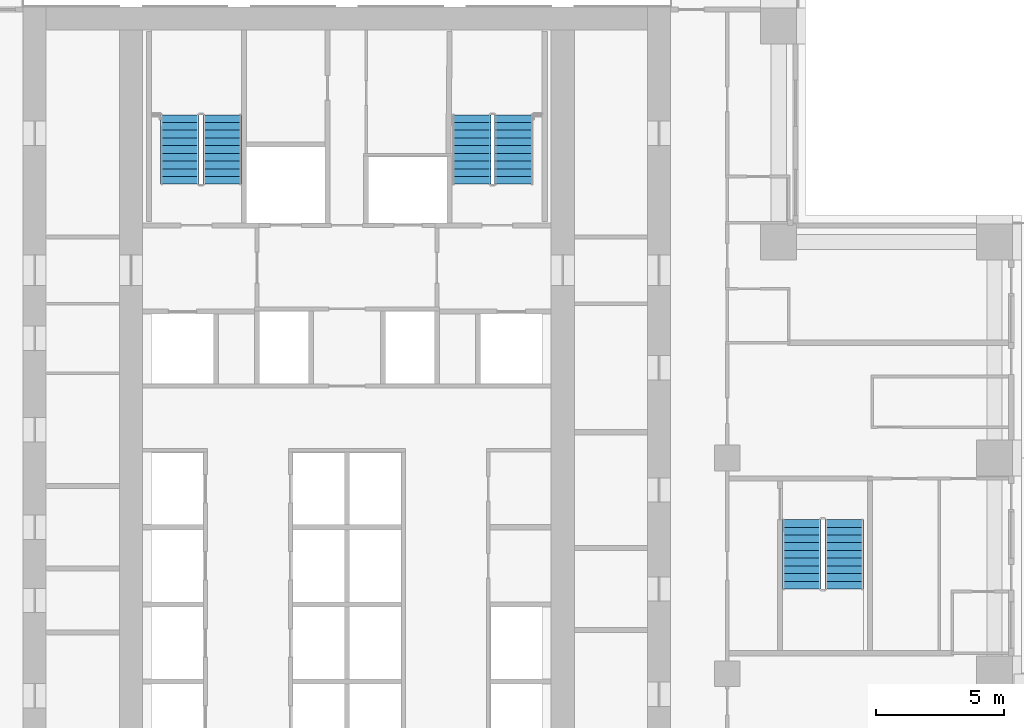
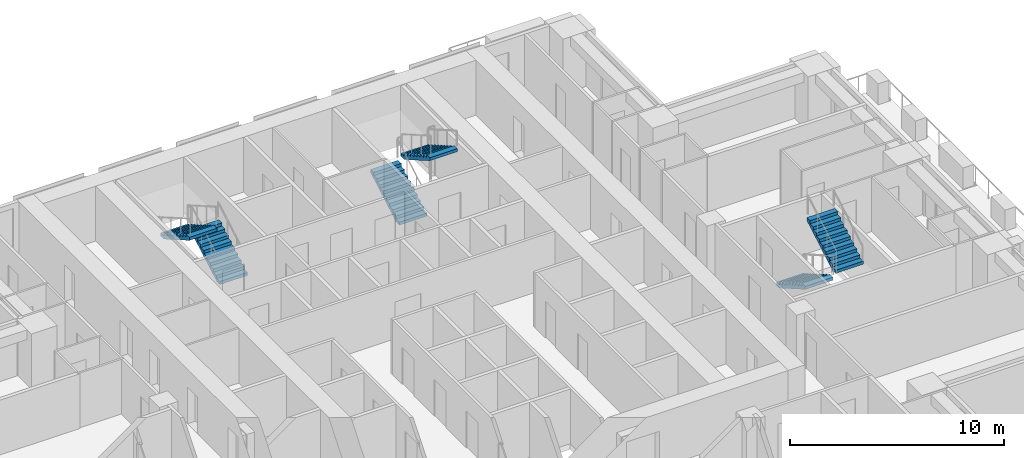
# One storey, part 13 of 17: 6 stair flights, 3 elements without a shape of their own.
"""IFC4 building model written with IfcOpenShell, lengths in metres."""

from ifc_helpers import new_model, si_unit, direction, frame, origin, place, context, subcontext, project, spatial, polyline, outline, extrude, material, type_object, element, aggregate, save


model = new_model("IFC4")

# Units and contexts
model_context = context("Model", 3, precision=1e-05, world=origin(), true_north=direction((0.0, 1.0)))
body_context = subcontext(model_context, "Body", "Model", "MODEL_VIEW")
ifc_project = project(units=[si_unit("LENGTHUNIT", "METRE"), si_unit("AREAUNIT", "SQUARE_METRE"), si_unit("VOLUMEUNIT", "CUBIC_METRE"), si_unit("PLANEANGLEUNIT", "RADIAN"), si_unit("MASSUNIT", "GRAM", prefix="KILO")], contexts=[model_context])

# Site, building, storey
site_placement = place(None, origin())
site = spatial("IfcSite", under=ifc_project, at=site_placement, CompositionType="ELEMENT")
building_placement = place(site_placement, origin())
building = spatial("IfcBuilding", under=site, at=building_placement, Name="Vermilion Ogive Tower", CompositionType="ELEMENT")
storey_placement = place(building_placement, frame((0.0, 0.0, 58.64990234375)))
storey = spatial("IfcBuildingStorey", under=building, at=storey_placement, Name="L13", CompositionType="ELEMENT", Elevation=58.64990234375)

# Stair, stair flights
ifc_material_1 = material(Name="Concrete B40", Category="concrete")
stair_type = type_object("IfcStairType", Name="Exit stair 1500", PredefinedType="HALF_TURN_STAIR", material=ifc_material_1)
stair_1_placement = place(storey_placement, origin())
stair_1 = element("IfcStair", 1, at=stair_1_placement, inside=storey, type_object=stair_type, Name="L13 Exit Stair ST1", PredefinedType="HALF_TURN_STAIR")
ifc_material_2 = material(Name="Concrete B40", Category="concrete")
stair_flight_type = type_object("IfcStairFlightType", Name="Stair flight 1500", PredefinedType="STRAIGHT", material=ifc_material_2)
stair_flight_1_placement = place(storey_placement, frame((-4.85009765625, 14.85009765625, 0.0), z_axis=(0.0, 0.0, 1.0), x_axis=(0.0, 1.0, 0.0)))
stair_flight_1 = element("IfcStairFlight", 2, at=stair_flight_1_placement, type_object=stair_flight_type, Name="ST1 flight 1", NumberOfRisers=10, NumberOfTreads=9, PredefinedType="STRAIGHT", RiserHeight=0.1725, TreadLength=0.3, context=body_context, shape_type="SweptSolid", body=[
    extrude(outline(polyline([(0.0, 0.0), (0.0, 0.172607421875), (0.300048828125, 0.172607421875), (0.300048828125, 0.344970703125), (0.60009765625, 0.344970703125), (0.60009765625, 0.517578125), (0.89990234375, 0.517578125), (0.89990234375, 0.68994140625), (1.199951171875, 0.68994140625), (1.199951171875, 0.862548828125), (1.5, 0.862548828125), (1.5, 1.034912109375), (1.800048828125, 1.034912109375), (1.800048828125, 1.20751953125), (2.10009765625, 1.20751953125), (2.10009765625, 1.3798828125), (2.39990234375, 1.3798828125), (2.39990234375, 1.552490234375), (2.699951171875, 1.552490234375), (2.699951171875, 1.72509765625), (2.699951171875, 1.379638671875), (0.30078125, 0.0), (0.0, 0.0)])), frame((0.0, 0.75, 0.0), z_axis=(0.0, -1.0, 0.0), x_axis=(1.0, 0.0, 0.0)), (0.0, 0.0, 1.0), 1.5),
])
stair_flight_2_placement = place(storey_placement, frame((-6.5, 17.550048828125, 1.72509765625), z_axis=(0.0, 0.0, 1.0), x_axis=(0.0, -1.0, 0.0)))
stair_flight_2 = element("IfcStairFlight", 3, at=stair_flight_2_placement, type_object=stair_flight_type, Name="ST1 flight 2", NumberOfRisers=10, NumberOfTreads=9, PredefinedType="STRAIGHT", RiserHeight=0.1725, TreadLength=0.3, context=body_context, shape_type="SweptSolid", body=[
    extrude(outline(polyline([(0.0, 0.0), (0.0, 0.172607421875), (0.300048828125, 0.172607421875), (0.300048828125, 0.344970703125), (0.60009765625, 0.344970703125), (0.60009765625, 0.517578125), (0.89990234375, 0.517578125), (0.89990234375, 0.68994140625), (1.199951171875, 0.68994140625), (1.199951171875, 0.862548828125), (1.5, 0.862548828125), (1.5, 1.034912109375), (1.800048828125, 1.034912109375), (1.800048828125, 1.20751953125), (2.10009765625, 1.20751953125), (2.10009765625, 1.3798828125), (2.39990234375, 1.3798828125), (2.39990234375, 1.552490234375), (2.699951171875, 1.552490234375), (2.699951171875, 1.72509765625), (2.699951171875, 1.379638671875), (0.30078125, 0.0), (0.0, 0.0)])), frame((0.0, 0.75, 0.0), z_axis=(0.0, -1.0, 0.0), x_axis=(1.0, 0.0, 0.0)), (0.0, 0.0, 1.0), 1.5),
])
aggregate(stair_1, [stair_flight_1, stair_flight_2])

stair_2_placement = place(storey_placement, origin())
stair_2 = element("IfcStair", 4, at=stair_2_placement, inside=storey, type_object=stair_type, Name="L13 Exit Stair ST2", PredefinedType="HALF_TURN_STAIR")
stair_flight_3_placement = place(storey_placement, frame((4.85009765625, 14.85009765625, 0.0), z_axis=(0.0, 0.0, 1.0), x_axis=(0.0, 1.0, 0.0)))
stair_flight_3 = element("IfcStairFlight", 5, at=stair_flight_3_placement, type_object=stair_flight_type, Name="ST2 flight 1", NumberOfRisers=10, NumberOfTreads=9, PredefinedType="STRAIGHT", RiserHeight=0.1725, TreadLength=0.3, context=body_context, shape_type="SweptSolid", body=[
    extrude(outline(polyline([(0.0, 0.0), (0.0, 0.172607421875), (0.300048828125, 0.172607421875), (0.300048828125, 0.344970703125), (0.60009765625, 0.344970703125), (0.60009765625, 0.517578125), (0.89990234375, 0.517578125), (0.89990234375, 0.68994140625), (1.199951171875, 0.68994140625), (1.199951171875, 0.862548828125), (1.5, 0.862548828125), (1.5, 1.034912109375), (1.800048828125, 1.034912109375), (1.800048828125, 1.20751953125), (2.10009765625, 1.20751953125), (2.10009765625, 1.3798828125), (2.39990234375, 1.3798828125), (2.39990234375, 1.552490234375), (2.699951171875, 1.552490234375), (2.699951171875, 1.72509765625), (2.699951171875, 1.379638671875), (0.30078125, 0.0), (0.0, 0.0)])), frame((0.0, 0.75, 0.0), z_axis=(0.0, -1.0, 0.0), x_axis=(1.0, 0.0, 0.0)), (0.0, 0.0, 1.0), 1.5),
])
stair_flight_4_placement = place(storey_placement, frame((6.5, 17.550048828125, 1.72509765625), z_axis=(0.0, 0.0, 1.0), x_axis=(0.0, -1.0, 0.0)))
stair_flight_4 = element("IfcStairFlight", 6, at=stair_flight_4_placement, type_object=stair_flight_type, Name="ST2 flight 2", NumberOfRisers=10, NumberOfTreads=9, PredefinedType="STRAIGHT", RiserHeight=0.1725, TreadLength=0.3, context=body_context, shape_type="SweptSolid", body=[
    extrude(outline(polyline([(0.0, 0.0), (0.0, 0.172607421875), (0.300048828125, 0.172607421875), (0.300048828125, 0.344970703125), (0.60009765625, 0.344970703125), (0.60009765625, 0.517578125), (0.89990234375, 0.517578125), (0.89990234375, 0.68994140625), (1.199951171875, 0.68994140625), (1.199951171875, 0.862548828125), (1.5, 0.862548828125), (1.5, 1.034912109375), (1.800048828125, 1.034912109375), (1.800048828125, 1.20751953125), (2.10009765625, 1.20751953125), (2.10009765625, 1.3798828125), (2.39990234375, 1.3798828125), (2.39990234375, 1.552490234375), (2.699951171875, 1.552490234375), (2.699951171875, 1.72509765625), (2.699951171875, 1.379638671875), (0.30078125, 0.0), (0.0, 0.0)])), frame((0.0, 0.75, 0.0), z_axis=(0.0, -1.0, 0.0), x_axis=(1.0, 0.0, 0.0)), (0.0, 0.0, 1.0), 1.5),
])
aggregate(stair_2, [stair_flight_3, stair_flight_4])

stair_3_placement = place(storey_placement, origin())
stair_3 = element("IfcStair", 7, at=stair_3_placement, inside=storey, type_object=stair_type, Name="L13 Exit Stair ST8", PredefinedType="HALF_TURN_STAIR")
stair_flight_5_placement = place(storey_placement, frame((17.699951171875, 1.800048828125, 0.0), z_axis=(0.0, 0.0, 1.0), x_axis=(0.0, -1.0, 0.0)))
stair_flight_5 = element("IfcStairFlight", 8, at=stair_flight_5_placement, type_object=stair_flight_type, Name="ST8 flight 1", NumberOfRisers=10, NumberOfTreads=9, PredefinedType="STRAIGHT", RiserHeight=0.1725, TreadLength=0.3, context=body_context, shape_type="SweptSolid", body=[
    extrude(outline(polyline([(0.0, 0.0), (0.0, 0.172607421875), (0.300048828125, 0.172607421875), (0.300048828125, 0.344970703125), (0.60009765625, 0.344970703125), (0.60009765625, 0.517578125), (0.89990234375, 0.517578125), (0.89990234375, 0.68994140625), (1.199951171875, 0.68994140625), (1.199951171875, 0.862548828125), (1.5, 0.862548828125), (1.5, 1.034912109375), (1.800048828125, 1.034912109375), (1.800048828125, 1.20751953125), (2.10009765625, 1.20751953125), (2.10009765625, 1.3798828125), (2.39990234375, 1.3798828125), (2.39990234375, 1.552490234375), (2.699951171875, 1.552490234375), (2.699951171875, 1.72509765625), (2.699951171875, 1.379638671875), (0.30078125, 0.0), (0.0, 0.0)])), frame((0.0, 0.75, 0.0), z_axis=(0.0, -1.0, 0.0), x_axis=(1.0, 0.0, 0.0)), (0.0, 0.0, 1.0), 1.5),
])
stair_flight_6_placement = place(storey_placement, frame((19.35009765625, -0.89990234375, 1.72509765625), z_axis=(0.0, 0.0, 1.0), x_axis=(0.0, 1.0, 0.0)))
stair_flight_6 = element("IfcStairFlight", 9, at=stair_flight_6_placement, type_object=stair_flight_type, Name="ST8 flight 2", NumberOfRisers=10, NumberOfTreads=9, PredefinedType="STRAIGHT", RiserHeight=0.1725, TreadLength=0.3, context=body_context, shape_type="SweptSolid", body=[
    extrude(outline(polyline([(0.0, 0.0), (0.0, 0.172607421875), (0.300048828125, 0.172607421875), (0.300048828125, 0.344970703125), (0.60009765625, 0.344970703125), (0.60009765625, 0.517578125), (0.89990234375, 0.517578125), (0.89990234375, 0.68994140625), (1.199951171875, 0.68994140625), (1.199951171875, 0.862548828125), (1.5, 0.862548828125), (1.5, 1.034912109375), (1.800048828125, 1.034912109375), (1.800048828125, 1.20751953125), (2.10009765625, 1.20751953125), (2.10009765625, 1.3798828125), (2.39990234375, 1.3798828125), (2.39990234375, 1.552490234375), (2.699951171875, 1.552490234375), (2.699951171875, 1.72509765625), (2.699951171875, 1.379638671875), (0.30078125, 0.0), (0.0, 0.0)])), frame((0.0, 0.75, 0.0), z_axis=(0.0, -1.0, 0.0), x_axis=(1.0, 0.0, 0.0)), (0.0, 0.0, 1.0), 1.5),
])
aggregate(stair_3, [stair_flight_5, stair_flight_6])

save(model, "model.ifc")
